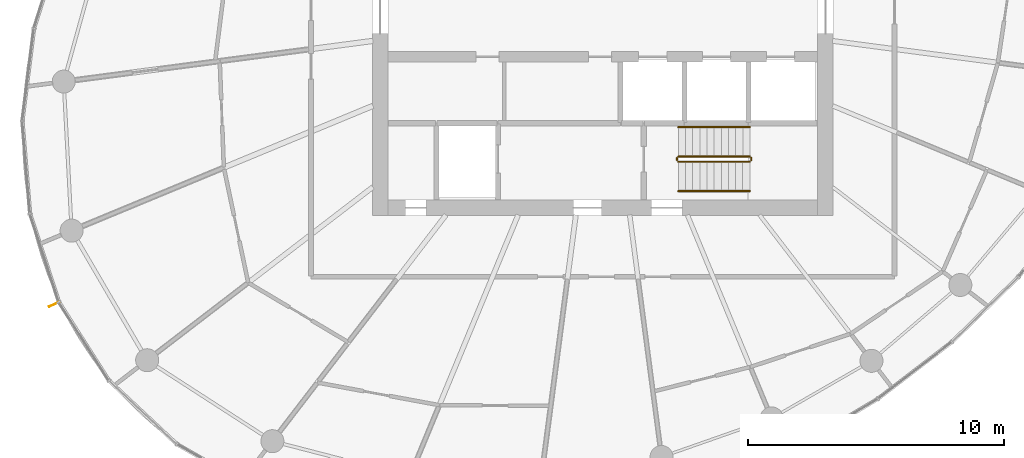
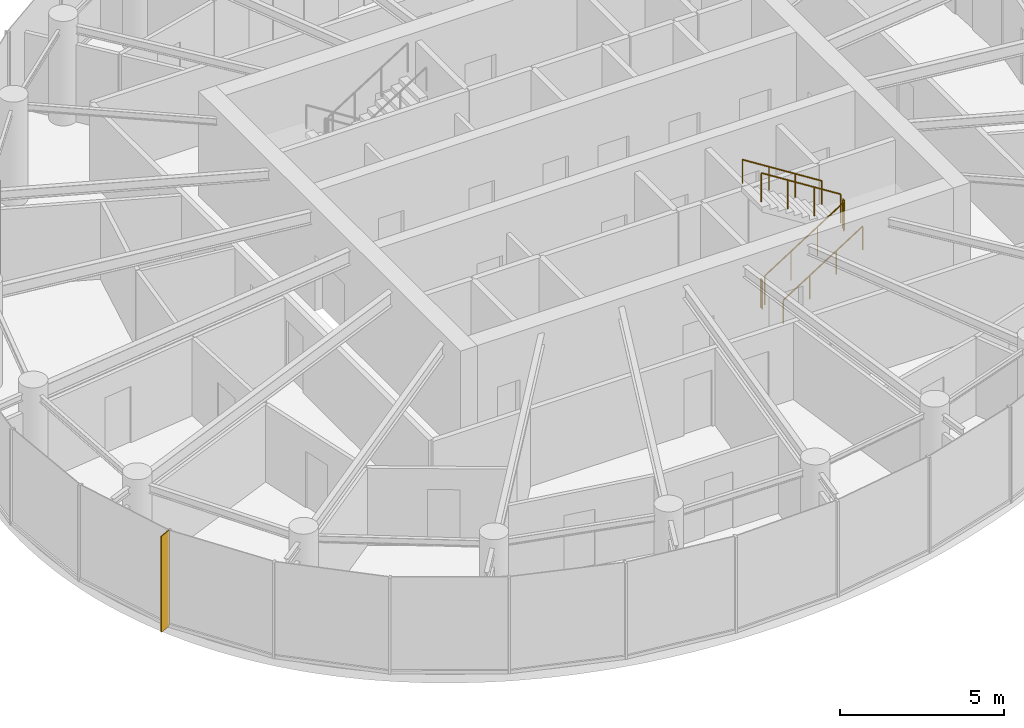
# One storey, part 14 of 15: 6 railings, 1 shading device.
"""IFC4 building model written with IfcOpenShell, lengths in metres."""

from ifc_helpers import new_model, si_unit, direction, frame, origin, origin_2d, place, context, subcontext, project, spatial, rectangle, circle, extrude, source, transform, mapped, material, material_profile, profile_set, type_object, element, save


model = new_model("IFC4")

# Units and contexts
model_context = context("Model", 3, precision=1e-05, world=origin(), true_north=direction((0.0, 1.0)))
body_context = subcontext(model_context, "Body", "Model", "MODEL_VIEW")
ifc_project = project(units=[si_unit("LENGTHUNIT", "METRE"), si_unit("AREAUNIT", "SQUARE_METRE"), si_unit("VOLUMEUNIT", "CUBIC_METRE"), si_unit("PLANEANGLEUNIT", "RADIAN"), si_unit("MASSUNIT", "GRAM", prefix="KILO")], contexts=[model_context])

# Site, building, storey
site_placement = place(None, origin())
site = spatial("IfcSite", under=ifc_project, at=site_placement, CompositionType="ELEMENT")
building_placement = place(site_placement, origin())
building = spatial("IfcBuilding", under=site, at=building_placement, Name="Spindrift Exchange Tower", CompositionType="ELEMENT")
storey_placement = place(building_placement, frame((0.0, 0.0, 195.5)))
storey = spatial("IfcBuildingStorey", under=building, at=storey_placement, Name="L47", CompositionType="ELEMENT", Elevation=195.5)

# Railings
ifc_material_1 = material(Name="Steel balustrade", Category="steel")
railing_type_1 = type_object("IfcRailingType", Name="RL-STAIR-GUARD", PredefinedType="GUARDRAIL", material=ifc_material_1)
railing_1_placement = place(storey_placement, frame((54.949951171875, 42.10009765625, 0.17724609375)))
element("IfcRailing", 1, at=railing_1_placement, inside=storey, type_object=railing_type_1, Name="L47 ST2 stair guard 1", PredefinedType="GUARDRAIL", context=body_context, shape_type="SweptSolid", body=[
    extrude(circle(Radius=0.02392578125, at=origin_2d()), frame((0.0, 0.0, 1.076171875), z_axis=(0.844908973607, 0.0, 0.534910110503), x_axis=(0.0, 1.0, 0.0)), (0.0, 0.0, 1.0), 3.31396484375),
    extrude(circle(Radius=0.02099609375, at=origin_2d()), origin(), (0.0, 0.0, 1.0), 1.052001953125),
    extrude(circle(Radius=0.02099609375, at=origin_2d()), frame((0.933349609375, 0.0, 0.5908203125)), (0.0, 0.0, 1.0), 1.052001953125),
    extrude(circle(Radius=0.02099609375, at=origin_2d()), frame((1.86669921875, 0.0, 1.181884765625)), (0.0, 0.0, 1.0), 1.052001953125),
    extrude(circle(Radius=0.02099609375, at=origin_2d()), frame((2.800048828125, 0.0, 1.772705078125)), (0.0, 0.0, 1.0), 1.052001953125),
])
railing_2_placement = place(storey_placement, frame((57.800048828125, 42.14990234375, 1.949951171875)))
element("IfcRailing", 2, at=railing_2_placement, inside=storey, type_object=railing_type_1, Name="L47 ST2 stair guard 2", PredefinedType="GUARDRAIL", context=body_context, shape_type="SweptSolid", body=[
    extrude(circle(Radius=0.02392578125, at=origin_2d()), frame((0.0, 0.0, 1.076171875), z_axis=(0.0, 1.0, 0.0), x_axis=(-1.0, 0.0, 0.0)), (0.0, 0.0, 1.0), 0.10009765625),
    extrude(circle(Radius=0.02099609375, at=origin_2d()), origin(), (0.0, 0.0, 1.0), 1.052001953125),
    extrude(circle(Radius=0.02099609375, at=origin_2d()), frame((0.0, 0.10009765625, 0.0)), (0.0, 0.0, 1.0), 1.052001953125),
])
railing_3_placement = place(storey_placement, frame((57.75, 42.300048828125, 2.127197265625)))
element("IfcRailing", 3, at=railing_3_placement, inside=storey, type_object=railing_type_1, Name="L47 ST2 stair guard 3", PredefinedType="GUARDRAIL", context=body_context, shape_type="SweptSolid", body=[
    extrude(circle(Radius=0.02392578125, at=origin_2d()), frame((0.0, 0.0, 1.076171875), z_axis=(-0.844908973607, 0.0, 0.534910110503), x_axis=(0.0, -1.0, 0.0)), (0.0, 0.0, 1.0), 3.31396484375),
    extrude(circle(Radius=0.02099609375, at=origin_2d()), origin(), (0.0, 0.0, 1.0), 1.052001953125),
    extrude(circle(Radius=0.02099609375, at=origin_2d()), frame((-0.933349609375, 0.0, 0.5908203125)), (0.0, 0.0, 1.0), 1.052001953125),
    extrude(circle(Radius=0.02099609375, at=origin_2d()), frame((-1.86669921875, 0.0, 1.181884765625)), (0.0, 0.0, 1.0), 1.052001953125),
    extrude(circle(Radius=0.02099609375, at=origin_2d()), frame((-2.800048828125, 0.0, 1.772705078125)), (0.0, 0.0, 1.0), 1.052001953125),
])
railing_4_placement = place(storey_placement, frame((54.89990234375, 42.14990234375, 0.0)))
element("IfcRailing", 4, at=railing_4_placement, inside=storey, type_object=railing_type_1, Name="L47 ST2 stair guard 4", PredefinedType="GUARDRAIL", context=body_context, shape_type="SweptSolid", body=[
    extrude(circle(Radius=0.02392578125, at=origin_2d()), frame((0.0, 0.0, 1.076171875), z_axis=(0.0, 1.0, 0.0), x_axis=(-1.0, 0.0, 0.0)), (0.0, 0.0, 1.0), 0.10009765625),
    extrude(circle(Radius=0.02099609375, at=origin_2d()), origin(), (0.0, 0.0, 1.0), 1.052001953125),
    extrude(circle(Radius=0.02099609375, at=origin_2d()), frame((0.0, 0.10009765625, 0.0)), (0.0, 0.0, 1.0), 1.052001953125),
])
ifc_material_2 = material(Name="Steel tubular handrail", Category="steel")
railing_type_2 = type_object("IfcRailingType", Name="RL-STAIR-HAND", PredefinedType="HANDRAIL", material=ifc_material_2)
railing_5_placement = place(storey_placement, frame((54.949951171875, 40.949951171875, 0.17724609375)))
element("IfcRailing", 5, at=railing_5_placement, inside=storey, type_object=railing_type_2, Name="L47 ST2 stair handrail 1", PredefinedType="HANDRAIL", context=body_context, shape_type="SweptSolid", body=[
    extrude(circle(Radius=0.02392578125, at=origin_2d()), frame((0.0, 0.0, 0.8759765625), z_axis=(0.844908973607, 0.0, 0.534910110503), x_axis=(0.0, 1.0, 0.0)), (0.0, 0.0, 1.0), 3.31396484375),
    extrude(circle(Radius=0.02099609375, at=origin_2d()), origin(), (0.0, 0.0, 1.0), 0.851806640625),
    extrude(circle(Radius=0.02099609375, at=origin_2d()), frame((0.933349609375, 0.0, 0.5908203125)), (0.0, 0.0, 1.0), 0.851806640625),
    extrude(circle(Radius=0.02099609375, at=origin_2d()), frame((1.86669921875, 0.0, 1.181884765625)), (0.0, 0.0, 1.0), 0.851806640625),
    extrude(circle(Radius=0.02099609375, at=origin_2d()), frame((2.800048828125, 0.0, 1.772705078125)), (0.0, 0.0, 1.0), 0.851806640625),
])
railing_6_placement = place(storey_placement, frame((57.75, 43.449951171875, 2.127197265625)))
element("IfcRailing", 6, at=railing_6_placement, inside=storey, type_object=railing_type_2, Name="L47 ST2 stair handrail 2", PredefinedType="HANDRAIL", context=body_context, shape_type="SweptSolid", body=[
    extrude(circle(Radius=0.02392578125, at=origin_2d()), frame((0.0, 0.0, 0.8759765625), z_axis=(-0.844908973607, 0.0, 0.534910110503), x_axis=(0.0, -1.0, 0.0)), (0.0, 0.0, 1.0), 3.31396484375),
    extrude(circle(Radius=0.02099609375, at=origin_2d()), origin(), (0.0, 0.0, 1.0), 0.851806640625),
    extrude(circle(Radius=0.02099609375, at=origin_2d()), frame((-0.933349609375, 0.0, 0.5908203125)), (0.0, 0.0, 1.0), 0.851806640625),
    extrude(circle(Radius=0.02099609375, at=origin_2d()), frame((-1.86669921875, 0.0, 1.181884765625)), (0.0, 0.0, 1.0), 0.851806640625),
    extrude(circle(Radius=0.02099609375, at=origin_2d()), frame((-2.800048828125, 0.0, 1.772705078125)), (0.0, 0.0, 1.0), 0.851806640625),
])

# Shading device
ifc_material_3 = material(Name="Bronze anodised aluminium", Category="aluminium")
ifc_material_profile = material_profile(ifc_material_3, rectangle(XDim=0.030029296875, YDim=0.449951171875, at=origin_2d()), Name="WIND FIN 30X450")
ifc_profile_set = profile_set([ifc_material_profile], Name="Bronze anodised aluminium")
shading_device_type = type_object("IfcShadingDeviceType", Name="WIND FIN 30X450", PredefinedType="USERDEFINED", material=ifc_profile_set)
shared_shape = source(origin(), body_context, "Body", "SweptSolid", [
    extrude(rectangle(XDim=0.030029296875, YDim=0.449951171875, at=origin_2d()), origin(), (0.0, 0.0, 1.0), 3.580078125),
])
shading_device_placement = place(storey_placement, frame((30.57080078125, 36.52490234375, 0.0), z_axis=(0.0, 0.0, 1.0), x_axis=(0.427768079019, -0.903888527736, 0.0)))
element("IfcShadingDevice", 7, at=shading_device_placement, inside=storey, type_object=shading_device_type, Name="L47 wind fin 1", ObjectType="FIN", PredefinedType="USERDEFINED", context=body_context, shape_type="MappedRepresentation", body=[
    mapped(shared_shape, transform((0.0, 0.0, 0.0), scale=1.0)),
])

save(model, "model.ifc")
